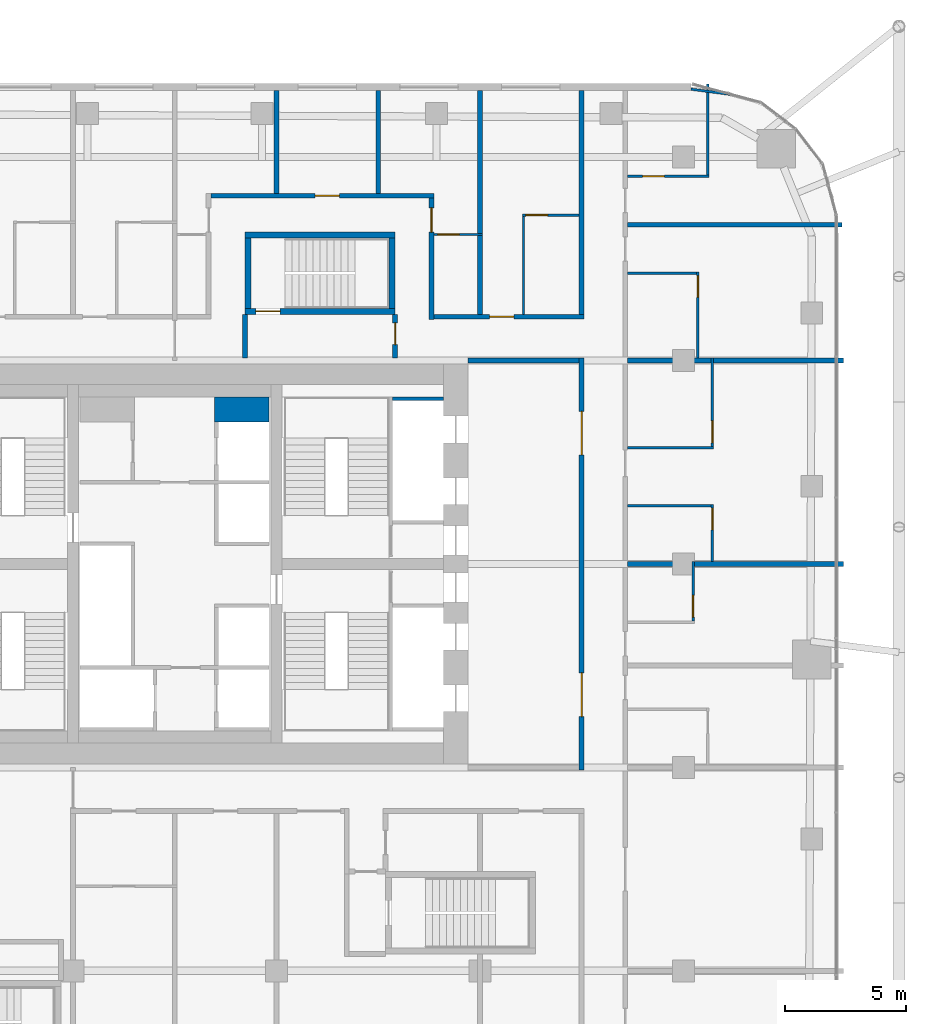
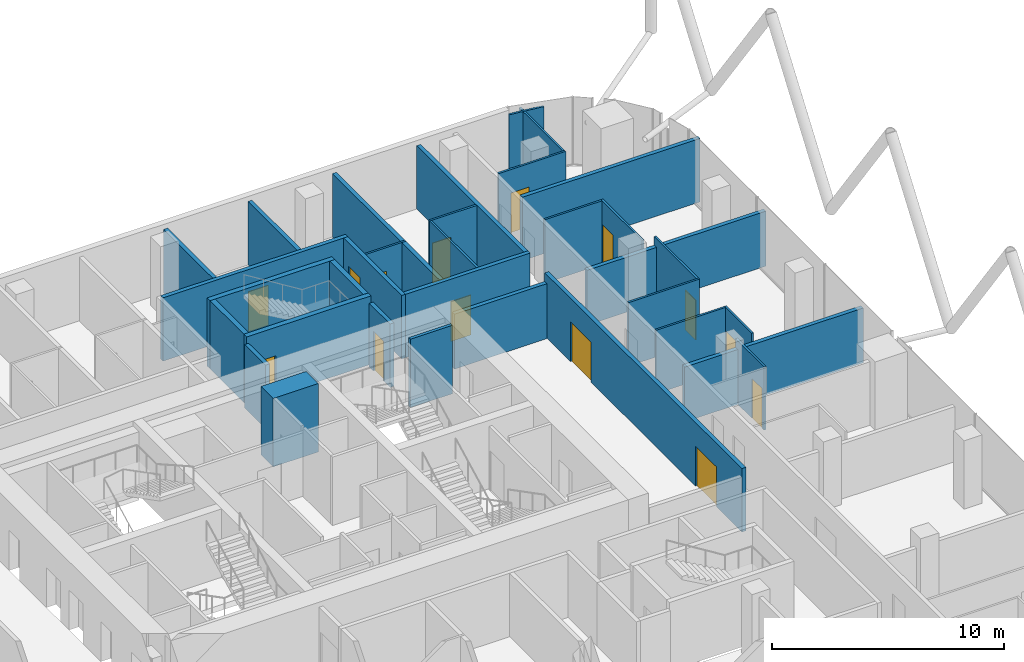
# One storey, part 33 of 36: 33 walls, 14 doors, 14 openings.
"""IFC4 building model written with IfcOpenShell, lengths in metres."""

from ifc_helpers import new_model, si_unit, direction, frame, frame_2d, origin, place, context, subcontext, project, spatial, rectangle, extrude, material, layer, layer_set, type_object, element, fill, save


model = new_model("IFC4")

# Units and contexts
model_context = context("Model", 3, precision=1e-05, world=origin(), true_north=direction((0.0, 1.0)))
body_context = subcontext(model_context, "Body", "Model", "MODEL_VIEW")
ifc_project = project(units=[si_unit("LENGTHUNIT", "METRE"), si_unit("AREAUNIT", "SQUARE_METRE"), si_unit("VOLUMEUNIT", "CUBIC_METRE"), si_unit("PLANEANGLEUNIT", "RADIAN"), si_unit("MASSUNIT", "GRAM", prefix="KILO")], contexts=[model_context])

# Site, building, storey
site_placement = place(None, origin())
site = spatial("IfcSite", under=ifc_project, at=site_placement, CompositionType="ELEMENT")
building_placement = place(site_placement, origin())
building = spatial("IfcBuilding", under=site, at=building_placement, Name="Marenta Gate Hotel Tower", CompositionType="ELEMENT")
storey_placement = place(building_placement, frame((0.0, 0.0, 115.699951171875)))
storey = spatial("IfcBuildingStorey", under=building, at=storey_placement, Name="L25", CompositionType="ELEMENT", Elevation=115.699951171875)

# Wall, openings, doors
ifc_material_1 = material(Name="Concrete blockwork", Category="masonry")
ifc_layer_1 = layer(ifc_material_1, 0.199951171875)
ifc_layer_set_1 = layer_set([ifc_layer_1], Name="Concrete blockwork")
wall_type_1 = type_object("IfcWallType", Name="Core boundary wall 200 REI 180", PredefinedType="PARTITIONING", material=ifc_layer_set_1)
wall_1_placement = place(storey_placement, frame((16.800048828125, -0.10009765625, 0.0), z_axis=(0.0, 0.0, 1.0), x_axis=(0.0, 1.0, 0.0)))
wall_1 = element("IfcWall", 1, at=wall_1_placement, inside=storey, type_object=wall_type_1, Name="L25-CP-BW-E", PredefinedType="PARTITIONING", context=body_context, shape_type="SweptSolid", body=[
    extrude(rectangle(XDim=17.0, YDim=0.199951171875, at=frame_2d((8.5, 0.0))), origin(), (0.0, 0.0, 1.0), 3.340087890625),
])
opening_1_placement = place(wall_1_placement, frame((2.199951171875, 0.0, 0.0)))
opening_1 = element("IfcOpeningElement", 2, at=opening_1_placement, cuts=wall_1, Name="Opening ED-Ea-B", PredefinedType="OPENING", context=body_context, shape_type="SweptSolid", body=[
    extrude(rectangle(XDim=1.800048828125, YDim=2.10009765625, at=frame_2d((0.89990234375, 1.050048828125))), frame((0.0, 0.10009765625, 0.0), z_axis=(0.0, -1.0, 0.0), x_axis=(1.0, 0.0, 0.0)), (0.0, 0.0, 1.0), 0.199951171875),
])
opening_2_placement = place(wall_1_placement, frame((13.0, 0.0, 0.0)))
opening_2 = element("IfcOpeningElement", 3, at=opening_2_placement, cuts=wall_1, Name="Opening ED-Eb-B", PredefinedType="OPENING", context=body_context, shape_type="SweptSolid", body=[
    extrude(rectangle(XDim=1.800048828125, YDim=2.10009765625, at=frame_2d((0.89990234375, 1.050048828125))), frame((0.0, 0.10009765625, 0.0), z_axis=(0.0, -1.0, 0.0), x_axis=(1.0, 0.0, 0.0)), (0.0, 0.0, 1.0), 0.199951171875),
])
ifc_material_2 = material(Name="Steel", Category="steel")
door_type_1 = type_object("IfcDoorType", Name="Core lobby entrance door 1800x2100 EI 60", OperationType="DOUBLE_DOOR_SINGLE_SWING", PredefinedType="DOOR", material=ifc_material_2)
door_1_placement = place(opening_1_placement, origin())
door_1 = element("IfcDoor", 4, at=door_1_placement, inside=storey, type_object=door_type_1, Name="ED-Ea-B", OperationType="DOUBLE_DOOR_SINGLE_SWING", OverallHeight=2.10009765625, OverallWidth=1.800048828125, PredefinedType="DOOR", context=body_context, shape_type="SweptSolid", body=[
    extrude(rectangle(XDim=1.800048828125, YDim=2.10009765625, at=frame_2d((0.89990234375, 1.050048828125))), frame((0.0, 0.02490234375, 0.0), z_axis=(0.0, -1.0, 0.0), x_axis=(1.0, 0.0, 0.0)), (0.0, 0.0, 1.0), 0.050048828125),
])
fill(opening_1, door_1)
door_2_placement = place(opening_2_placement, origin())
door_2 = element("IfcDoor", 5, at=door_2_placement, inside=storey, type_object=door_type_1, Name="ED-Eb-B", OperationType="DOUBLE_DOOR_SINGLE_SWING", OverallHeight=2.10009765625, OverallWidth=1.800048828125, PredefinedType="DOOR", context=body_context, shape_type="SweptSolid", body=[
    extrude(rectangle(XDim=1.800048828125, YDim=2.10009765625, at=frame_2d((0.89990234375, 1.050048828125))), frame((0.0, 0.02490234375, 0.0), z_axis=(0.0, -1.0, 0.0), x_axis=(1.0, 0.0, 0.0)), (0.0, 0.0, 1.0), 0.050048828125),
])
fill(opening_2, door_2)

# Walls
wall_2_placement = place(storey_placement, frame((12.10009765625, 16.800048828125, 0.0), z_axis=(0.0, 0.0, 1.0), x_axis=(1.0, 0.0, 0.0)))
element("IfcWall", 6, at=wall_2_placement, inside=storey, type_object=wall_type_1, Name="L25-CP-EW-EN", PredefinedType="PARTITIONING", context=body_context, shape_type="SweptSolid", body=[
    extrude(rectangle(XDim=4.599853515625, YDim=0.199951171875, at=frame_2d((2.2998046875, 0.0))), origin(), (0.0, 0.0, 1.0), 2.89013671875),
])
ifc_material_3 = material(Name="Concrete C40", Category="concrete")
ifc_layer_2 = layer(ifc_material_3, 1.050048828125)
ifc_layer_set_2 = layer_set([ifc_layer_2], Name="Concrete C40")
wall_type_2 = type_object("IfcWallType", Name="Core shaft wall 1050 REI 180", PredefinedType="SHEAR", material=ifc_layer_set_2)
wall_3_placement = place(storey_placement, frame((1.64990234375, 14.77490234375, 0.0), z_axis=(0.0, 0.0, 1.0), x_axis=(1.0, 0.0, 0.0)))
element("IfcWall", 7, at=wall_3_placement, inside=storey, type_object=wall_type_2, Name="L25-SHF-CE-N-top", PredefinedType="SHEAR", context=body_context, shape_type="SweptSolid", body=[
    extrude(rectangle(XDim=2.25, YDim=1.050048828125, at=frame_2d((1.125, 0.0))), origin(), (0.0, 0.0, 1.0), 3.60009765625),
])
ifc_material_4 = material(Name="Concrete C40", Category="concrete")
ifc_layer_3 = layer(ifc_material_4, 0.14990234375)
ifc_layer_set_3 = layer_set([ifc_layer_3], Name="Concrete C40")
wall_type_3 = type_object("IfcWallType", Name="Core shaft wall 150 REI 180", PredefinedType="SHEAR", material=ifc_layer_set_3)
wall_4_placement = place(storey_placement, frame((9.0, 15.22509765625, 0.0), z_axis=(0.0, 0.0, 1.0), x_axis=(1.0, 0.0, 0.0)))
element("IfcWall", 8, at=wall_4_placement, inside=storey, type_object=wall_type_3, Name="L25-SHF-SW-EN-5", PredefinedType="SHEAR", context=body_context, shape_type="SweptSolid", body=[
    extrude(rectangle(XDim=2.10009765625, YDim=0.14990234375, at=frame_2d((1.050048828125, 0.0))), origin(), (0.0, 0.0, 1.0), 3.60009765625),
])

# Wall, opening, door
ifc_material_5 = material(Name="Concrete C40", Category="concrete")
ifc_layer_4 = layer(ifc_material_5, 0.25)
ifc_layer_set_4 = layer_set([ifc_layer_4], Name="Concrete C40")
wall_type_4 = type_object("IfcWallType", Name="Remote stair enclosure wall 250 REI 180", PredefinedType="SHEAR", material=ifc_layer_set_4)
wall_5_placement = place(storey_placement, frame((2.89990234375, 18.824951171875, 0.10009765625), z_axis=(0.0, 0.0, 1.0), x_axis=(1.0, 0.0, 0.0)))
wall_5 = element("IfcWall", 9, at=wall_5_placement, inside=storey, type_object=wall_type_4, Name="L25-RS-Z2-4-W1", PredefinedType="SHEAR", context=body_context, shape_type="SweptSolid", body=[
    extrude(rectangle(XDim=6.2001953125, YDim=0.25, at=frame_2d((3.10009765625, 0.0))), origin(), (0.0, 0.0, 1.0), 3.599853515625),
])
opening_3_placement = place(wall_5_placement, frame((0.449951171875, 0.0, 0.0)))
opening_3 = element("IfcOpeningElement", 10, at=opening_3_placement, cuts=wall_5, Name="Opening VD", PredefinedType="OPENING", context=body_context, shape_type="SweptSolid", body=[
    extrude(rectangle(XDim=1.0, YDim=2.10009765625, at=frame_2d((0.5, 1.050048828125))), frame((0.0, 0.125, 0.0), z_axis=(0.0, -1.0, 0.0), x_axis=(1.0, 0.0, 0.0)), (0.0, 0.0, 1.0), 0.25),
])
ifc_material_6 = material(Name="Steel", Category="steel")
door_type_2 = type_object("IfcDoorType", Name="Stair vestibule door 1000x2100 FD60", OperationType="SINGLE_SWING_LEFT", PredefinedType="DOOR", material=ifc_material_6)
door_3_placement = place(opening_3_placement, origin())
door_3 = element("IfcDoor", 11, at=door_3_placement, inside=storey, type_object=door_type_2, Name="VD", OperationType="SINGLE_SWING_LEFT", OverallHeight=2.10009765625, OverallWidth=1.0, PredefinedType="DOOR", context=body_context, shape_type="SweptSolid", body=[
    extrude(rectangle(XDim=1.0, YDim=2.10009765625, at=frame_2d((0.5, 1.050048828125))), frame((0.0, 0.02490234375, 0.0), z_axis=(0.0, -1.0, 0.0), x_axis=(1.0, 0.0, 0.0)), (0.0, 0.0, 1.0), 0.050048828125),
])
fill(opening_3, door_3)

# Walls
wall_6_placement = place(storey_placement, frame((2.89990234375, 21.97509765625, 0.10009765625), z_axis=(0.0, 0.0, 1.0), x_axis=(1.0, 0.0, 0.0)))
element("IfcWall", 12, at=wall_6_placement, inside=storey, type_object=wall_type_4, Name="L25-RS-Z2-4-W2", PredefinedType="SHEAR", context=body_context, shape_type="SweptSolid", body=[
    extrude(rectangle(XDim=6.2001953125, YDim=0.25, at=frame_2d((3.10009765625, 0.0))), origin(), (0.0, 0.0, 1.0), 3.599853515625),
])
for number, where, z_axis, x_axis, name in (
    (13, (3.02490234375, 18.949951171875, 0.10009765625), (0.0, 0.0, 1.0), (0.0, 1.0, 0.0), "L25-RS-Z2-4-W3"),
    (14, (8.97509765625, 18.949951171875, 0.10009765625), (0.0, 0.0, 1.0), (0.0, 1.0, 0.0), "L25-RS-Z2-4-W4"),
):
    element("IfcWall", number, at=place(storey_placement, frame(where, z_axis=z_axis, x_axis=x_axis)), inside=storey, type_object=wall_type_4, Name=name, PredefinedType="SHEAR", context=body_context, shape_type="SweptSolid", body=[
        extrude(rectangle(XDim=2.900146484375, YDim=0.25, at=frame_2d((1.4501953125, 0.0))), origin(), (0.0, 0.0, 1.0), 3.599853515625),
    ])

# Wall, opening, door
ifc_material_7 = material(Name="Concrete blockwork", Category="masonry")
ifc_layer_5 = layer(ifc_material_7, 0.199951171875)
ifc_layer_set_5 = layer_set([ifc_layer_5], Name="Concrete blockwork")
wall_type_5 = type_object("IfcWallType", Name="Room corridor wall 200 EI 120", PredefinedType="PARTITIONING", material=ifc_layer_set_5)
wall_7_placement = place(storey_placement, frame((1.5, 23.60009765625, 0.0), z_axis=(0.0, 0.0, 1.0), x_axis=(1.0, 0.0, 0.0)))
wall_7 = element("IfcWall", 15, at=wall_7_placement, inside=storey, type_object=wall_type_5, Name="L25-PTN-W125", PredefinedType="PARTITIONING", context=body_context, shape_type="SweptSolid", body=[
    extrude(rectangle(XDim=9.199951171875, YDim=0.199951171875, at=frame_2d((4.60009765625, 0.0))), origin(), (0.0, 0.0, 1.0), 3.340087890625),
])
opening_4_placement = place(wall_7_placement, frame((4.300048828125, 0.0, 0.0)))
opening_4 = element("IfcOpeningElement", 16, at=opening_4_placement, cuts=wall_7, Name="Opening G09-36", PredefinedType="OPENING", context=body_context, shape_type="SweptSolid", body=[
    extrude(rectangle(XDim=1.0, YDim=2.10009765625, at=frame_2d((0.5, 1.050048828125))), frame((0.0, 0.10009765625, 0.0), z_axis=(0.0, -1.0, 0.0), x_axis=(1.0, 0.0, 0.0)), (0.0, 0.0, 1.0), 0.199951171875),
])
ifc_material_8 = material(Name="Hollow steel door set", Category="steel")
door_type_3 = type_object("IfcDoorType", Name="Room service door 1000x2100 EI 60", OperationType="NOTDEFINED", PredefinedType="DOOR", material=ifc_material_8)
door_4_placement = place(opening_4_placement, origin())
door_4 = element("IfcDoor", 17, at=door_4_placement, inside=storey, type_object=door_type_3, Name="L25-PD-D036", OperationType="SINGLE_SWING_LEFT", OverallHeight=2.10009765625, OverallWidth=1.0, PredefinedType="DOOR", context=body_context, shape_type="SweptSolid", body=[
    extrude(rectangle(XDim=1.0, YDim=2.10009765625, at=frame_2d((0.5, 1.050048828125))), frame((0.0, 0.02490234375, 0.0), z_axis=(0.0, -1.0, 0.0), x_axis=(1.0, 0.0, 0.0)), (0.0, 0.0, 1.0), 0.050048828125),
])
fill(opening_4, door_4)

# Wall
ifc_material_9 = material(Name="Gypsum board on steel stud", Category="steel")
ifc_layer_6 = layer(ifc_material_9, 0.199951171875)
ifc_layer_set_6 = layer_set([ifc_layer_6], Name="Gypsum board on steel stud")
wall_type_6 = type_object("IfcWallType", Name="Room corridor wall 200 EI 60", PredefinedType="PARTITIONING", material=ifc_layer_set_6)
wall_8_placement = place(storey_placement, frame((16.800048828125, 18.699951171875, 0.0), z_axis=(0.0, 0.0, 1.0), x_axis=(0.0, 1.0, 0.0)))
element("IfcWall", 18, at=wall_8_placement, inside=storey, type_object=wall_type_6, Name="L25-PTN-W016", PredefinedType="PARTITIONING", context=body_context, shape_type="SweptSolid", body=[
    extrude(rectangle(XDim=9.239990234375, YDim=0.199951171875, at=frame_2d((4.6201171875, 0.0))), origin(), (0.0, 0.0, 1.0), 3.340087890625),
])

# Wall, opening, door
wall_9_placement = place(storey_placement, frame((10.60009765625, 18.5, 0.0), z_axis=(0.0, 0.0, 1.0), x_axis=(0.0, 1.0, 0.0)))
wall_9 = element("IfcWall", 19, at=wall_9_placement, inside=storey, type_object=wall_type_6, Name="L25-PTN-W036", PredefinedType="PARTITIONING", context=body_context, shape_type="SweptSolid", body=[
    extrude(rectangle(XDim=5.0, YDim=0.199951171875, at=frame_2d((2.5, 0.0))), origin(), (0.0, 0.0, 1.0), 3.340087890625),
])
opening_5_placement = place(wall_9_placement, frame((3.60009765625, 0.0, 0.0)))
opening_5 = element("IfcOpeningElement", 20, at=opening_5_placement, cuts=wall_9, Name="Opening G09-37", PredefinedType="OPENING", context=body_context, shape_type="SweptSolid", body=[
    extrude(rectangle(XDim=1.0, YDim=2.10009765625, at=frame_2d((0.5, 1.050048828125))), frame((0.0, 0.10009765625, 0.0), z_axis=(0.0, -1.0, 0.0), x_axis=(1.0, 0.0, 0.0)), (0.0, 0.0, 1.0), 0.199951171875),
])
ifc_material_10 = material(Name="Timber door leaf", Category="wood")
door_type_4 = type_object("IfcDoorType", Name="Guest room door 1000x2100 EI 30", OperationType="NOTDEFINED", PredefinedType="DOOR", material=ifc_material_10)
door_5_placement = place(opening_5_placement, origin())
door_5 = element("IfcDoor", 21, at=door_5_placement, inside=storey, type_object=door_type_4, Name="L25-PD-D037", OperationType="SINGLE_SWING_LEFT", OverallHeight=2.10009765625, OverallWidth=1.0, PredefinedType="DOOR", context=body_context, shape_type="SweptSolid", body=[
    extrude(rectangle(XDim=1.0, YDim=2.10009765625, at=frame_2d((0.5, 1.050048828125))), frame((0.0, 0.02490234375, 0.0), z_axis=(0.0, -1.0, 0.0), x_axis=(1.0, 0.0, 0.0)), (0.0, 0.0, 1.0), 0.050048828125),
])
fill(opening_5, door_5)

wall_10_placement = place(storey_placement, frame((10.699951171875, 18.60009765625, 0.0), z_axis=(0.0, 0.0, 1.0), x_axis=(1.0, 0.0, 0.0)))
wall_10 = element("IfcWall", 22, at=wall_10_placement, inside=storey, type_object=wall_type_6, Name="L25-PTN-W107", PredefinedType="PARTITIONING", context=body_context, shape_type="SweptSolid", body=[
    extrude(rectangle(XDim=6.199951171875, YDim=0.199951171875, at=frame_2d((3.10009765625, 0.0))), origin(), (0.0, 0.0, 1.0), 3.340087890625),
])
opening_6_placement = place(wall_10_placement, frame((2.300048828125, 0.0, 0.0)))
opening_6 = element("IfcOpeningElement", 23, at=opening_6_placement, cuts=wall_10, Name="Opening G09-39", PredefinedType="OPENING", context=body_context, shape_type="SweptSolid", body=[
    extrude(rectangle(XDim=1.0, YDim=2.10009765625, at=frame_2d((0.5, 1.050048828125))), frame((0.0, 0.10009765625, 0.0), z_axis=(0.0, -1.0, 0.0), x_axis=(1.0, 0.0, 0.0)), (0.0, 0.0, 1.0), 0.199951171875),
])
door_6_placement = place(opening_6_placement, origin())
door_6 = element("IfcDoor", 24, at=door_6_placement, inside=storey, type_object=door_type_4, Name="L25-PD-D039", OperationType="SINGLE_SWING_RIGHT", OverallHeight=2.10009765625, OverallWidth=1.0, PredefinedType="DOOR", context=body_context, shape_type="SweptSolid", body=[
    extrude(rectangle(XDim=1.0, YDim=2.10009765625, at=frame_2d((0.5, 1.050048828125))), frame((0.0, 0.02490234375, 0.0), z_axis=(0.0, -1.0, 0.0), x_axis=(1.0, 0.0, 0.0)), (0.0, 0.0, 1.0), 0.050048828125),
])
fill(opening_6, door_6)

ifc_material_11 = material(Name="Concrete blockwork", Category="masonry")
ifc_layer_7 = layer(ifc_material_11, 0.199951171875)
ifc_layer_set_7 = layer_set([ifc_layer_7], Name="Concrete blockwork")
wall_type_7 = type_object("IfcWallType", Name="Room corridor wall 200 REI 180", PredefinedType="PARTITIONING", material=ifc_layer_set_7)
wall_11_placement = place(storey_placement, frame((9.10009765625, 16.89990234375, 0.0), z_axis=(0.0, 0.0, 1.0), x_axis=(0.0, 1.0, 0.0)))
wall_11 = element("IfcWall", 25, at=wall_11_placement, inside=storey, type_object=wall_type_7, Name="L25-PTN-W037", PredefinedType="PARTITIONING", context=body_context, shape_type="SweptSolid", body=[
    extrude(rectangle(XDim=1.800048828125, YDim=0.199951171875, at=frame_2d((0.89990234375, 0.0))), origin(), (0.0, 0.0, 1.0), 3.340087890625),
])
opening_7_placement = place(wall_11_placement, frame((0.550048828125, 0.0, 0.0)))
opening_7 = element("IfcOpeningElement", 26, at=opening_7_placement, cuts=wall_11, Name="Opening G09-71", PredefinedType="OPENING", context=body_context, shape_type="SweptSolid", body=[
    extrude(rectangle(XDim=0.89990234375, YDim=2.10009765625, at=frame_2d((0.449951171875, 1.050048828125))), frame((0.0, 0.10009765625, 0.0), z_axis=(0.0, -1.0, 0.0), x_axis=(1.0, 0.0, 0.0)), (0.0, 0.0, 1.0), 0.199951171875),
])
ifc_material_12 = material(Name="Hollow steel door set", Category="steel")
door_type_5 = type_object("IfcDoorType", Name="Stair vestibule door 900x2100 EI 60", OperationType="NOTDEFINED", PredefinedType="DOOR", material=ifc_material_12)
door_7_placement = place(opening_7_placement, origin())
door_7 = element("IfcDoor", 27, at=door_7_placement, inside=storey, type_object=door_type_5, Name="L25-PD-D071", OperationType="SINGLE_SWING_RIGHT", OverallHeight=2.10009765625, OverallWidth=0.89990234375, PredefinedType="DOOR", context=body_context, shape_type="SweptSolid", body=[
    extrude(rectangle(XDim=0.89990234375, YDim=2.10009765625, at=frame_2d((0.449951171875, 1.050048828125))), frame((0.0, 0.02490234375, 0.0), z_axis=(0.0, -1.0, 0.0), x_axis=(1.0, 0.0, 0.0)), (0.0, 0.0, 1.0), 0.050048828125),
])
fill(opening_7, door_7)

# Wall
wall_12_placement = place(storey_placement, frame((2.89990234375, 16.89990234375, 0.0), z_axis=(0.0, 0.0, 1.0), x_axis=(0.0, 1.0, 0.0)))
element("IfcWall", 28, at=wall_12_placement, inside=storey, type_object=wall_type_7, Name="L25-PTN-W057", PredefinedType="PARTITIONING", context=body_context, shape_type="SweptSolid", body=[
    extrude(rectangle(XDim=1.800048828125, YDim=0.199951171875, at=frame_2d((0.89990234375, 0.0))), origin(), (0.0, 0.0, 1.0), 3.340087890625),
])

# Wall, opening, door
ifc_material_13 = material(Name="Gypsum board on steel stud", Category="steel")
ifc_layer_8 = layer(ifc_material_13, 0.10009765625)
ifc_layer_set_8 = layer_set([ifc_layer_8], Name="Gypsum board on steel stud")
wall_type_8 = type_object("IfcWallType", Name="Room partition 100", PredefinedType="PARTITIONING", material=ifc_layer_set_8)
wall_13_placement = place(storey_placement, frame((22.199951171875, 8.5, 0.0), z_axis=(0.0, 0.0, 1.0), x_axis=(0.0, 1.0, 0.0)))
wall_13 = element("IfcWall", 29, at=wall_13_placement, inside=storey, type_object=wall_type_8, Name="L25-PTN-W003", PredefinedType="PARTITIONING", context=body_context, shape_type="SweptSolid", body=[
    extrude(rectangle(XDim=2.35009765625, YDim=0.10009765625, at=frame_2d((1.175048828125, 0.0))), origin(), (0.0, 0.0, 1.0), 3.340087890625),
])
opening_8_placement = place(wall_13_placement, frame((1.300048828125, 0.0, 0.0)))
opening_8 = element("IfcOpeningElement", 30, at=opening_8_placement, cuts=wall_13, Name="Opening G09-21", PredefinedType="OPENING", context=body_context, shape_type="SweptSolid", body=[
    extrude(rectangle(XDim=0.89990234375, YDim=2.10009765625, at=frame_2d((0.449951171875, 1.050048828125))), frame((0.0, 0.050048828125, 0.0), z_axis=(0.0, -1.0, 0.0), x_axis=(1.0, 0.0, 0.0)), (0.0, 0.0, 1.0), 0.10009765625),
])
ifc_material_14 = material(Name="Timber door leaf", Category="wood")
door_type_6 = type_object("IfcDoorType", Name="Room inner door 900x2100", OperationType="NOTDEFINED", PredefinedType="DOOR", material=ifc_material_14)
door_8_placement = place(opening_8_placement, origin())
door_8 = element("IfcDoor", 31, at=door_8_placement, inside=storey, type_object=door_type_6, Name="L25-PD-D021", OperationType="SINGLE_SWING_RIGHT", OverallHeight=2.10009765625, OverallWidth=0.89990234375, PredefinedType="DOOR", context=body_context, shape_type="SweptSolid", body=[
    extrude(rectangle(XDim=0.89990234375, YDim=2.10009765625, at=frame_2d((0.449951171875, 1.050048828125))), frame((0.0, 0.02490234375, 0.0), z_axis=(0.0, -1.0, 0.0), x_axis=(1.0, 0.0, 0.0)), (0.0, 0.0, 1.0), 0.050048828125),
])
fill(opening_8, door_8)

wall_14_placement = place(storey_placement, frame((22.199951171875, 13.25, 0.0), z_axis=(0.0, 0.0, 1.0), x_axis=(0.0, 1.0, 0.0)))
wall_14 = element("IfcWall", 32, at=wall_14_placement, inside=storey, type_object=wall_type_8, Name="L25-PTN-W004", PredefinedType="PARTITIONING", context=body_context, shape_type="SweptSolid", body=[
    extrude(rectangle(XDim=3.64990234375, YDim=0.10009765625, at=frame_2d((1.824951171875, 0.0))), origin(), (0.0, 0.0, 1.0), 3.340087890625),
])
opening_9_placement = place(wall_14_placement, frame((0.14990234375, 0.0, 0.0)))
opening_9 = element("IfcOpeningElement", 33, at=opening_9_placement, cuts=wall_14, Name="Opening G09-20", PredefinedType="OPENING", context=body_context, shape_type="SweptSolid", body=[
    extrude(rectangle(XDim=0.89990234375, YDim=2.10009765625, at=frame_2d((0.449951171875, 1.050048828125))), frame((0.0, 0.050048828125, 0.0), z_axis=(0.0, -1.0, 0.0), x_axis=(1.0, 0.0, 0.0)), (0.0, 0.0, 1.0), 0.10009765625),
])
ifc_material_15 = material(Name="Timber door leaf", Category="wood")
door_type_7 = type_object("IfcDoorType", Name="Guest bathroom door 900x2100", OperationType="NOTDEFINED", PredefinedType="DOOR", material=ifc_material_15)
door_9_placement = place(opening_9_placement, origin())
door_9 = element("IfcDoor", 34, at=door_9_placement, inside=storey, type_object=door_type_7, Name="L25-PD-D020", OperationType="SINGLE_SWING_LEFT", OverallHeight=2.10009765625, OverallWidth=0.89990234375, PredefinedType="DOOR", context=body_context, shape_type="SweptSolid", body=[
    extrude(rectangle(XDim=0.89990234375, YDim=2.10009765625, at=frame_2d((0.449951171875, 1.050048828125))), frame((0.0, 0.02490234375, 0.0), z_axis=(0.0, -1.0, 0.0), x_axis=(1.0, 0.0, 0.0)), (0.0, 0.0, 1.0), 0.050048828125),
])
fill(opening_9, door_9)

# Wall
wall_15_placement = place(storey_placement, frame((22.0, 24.449951171875, 0.0), z_axis=(0.0, 0.0, 1.0), x_axis=(0.0, 1.0, 0.0)))
element("IfcWall", 35, at=wall_15_placement, inside=storey, type_object=wall_type_8, Name="L25-PTN-W006", PredefinedType="PARTITIONING", context=body_context, shape_type="SweptSolid", body=[
    extrude(rectangle(XDim=3.758056640625, YDim=0.10009765625, at=frame_2d((1.87890625, 0.0))), origin(), (0.0, 0.0, 1.0), 3.340087890625),
])

# Wall, opening, door
wall_16_placement = place(storey_placement, frame((21.60009765625, 16.89990234375, 0.0), z_axis=(0.0, 0.0, 1.0), x_axis=(0.0, 1.0, 0.0)))
wall_16 = element("IfcWall", 36, at=wall_16_placement, inside=storey, type_object=wall_type_8, Name="L25-PTN-W007", PredefinedType="PARTITIONING", context=body_context, shape_type="SweptSolid", body=[
    extrude(rectangle(XDim=3.550048828125, YDim=0.10009765625, at=frame_2d((1.77490234375, 0.0))), origin(), (0.0, 0.0, 1.0), 3.340087890625),
])
opening_10_placement = place(wall_16_placement, frame((2.5, 0.0, 0.0)))
opening_10 = element("IfcOpeningElement", 37, at=opening_10_placement, cuts=wall_16, Name="Opening G09-23", PredefinedType="OPENING", context=body_context, shape_type="SweptSolid", body=[
    extrude(rectangle(XDim=0.89990234375, YDim=2.10009765625, at=frame_2d((0.449951171875, 1.050048828125))), frame((0.0, 0.050048828125, 0.0), z_axis=(0.0, -1.0, 0.0), x_axis=(1.0, 0.0, 0.0)), (0.0, 0.0, 1.0), 0.10009765625),
])
door_10_placement = place(opening_10_placement, origin())
door_10 = element("IfcDoor", 38, at=door_10_placement, inside=storey, type_object=door_type_7, Name="L25-PD-D023", OperationType="SINGLE_SWING_RIGHT", OverallHeight=2.10009765625, OverallWidth=0.89990234375, PredefinedType="DOOR", context=body_context, shape_type="SweptSolid", body=[
    extrude(rectangle(XDim=0.89990234375, YDim=2.10009765625, at=frame_2d((0.449951171875, 1.050048828125))), frame((0.0, 0.02490234375, 0.0), z_axis=(0.0, -1.0, 0.0), x_axis=(1.0, 0.0, 0.0)), (0.0, 0.0, 1.0), 0.050048828125),
])
fill(opening_10, door_10)

wall_17_placement = place(storey_placement, frame((21.39990234375, 6.050048828125, 0.0), z_axis=(0.0, 0.0, 1.0), x_axis=(0.0, 1.0, 0.0)))
wall_17 = element("IfcWall", 39, at=wall_17_placement, inside=storey, type_object=wall_type_8, Name="L25-PTN-W008", PredefinedType="PARTITIONING", context=body_context, shape_type="SweptSolid", body=[
    extrude(rectangle(XDim=2.449951171875, YDim=0.10009765625, at=frame_2d((1.22509765625, 0.0))), origin(), (0.0, 0.0, 1.0), 3.340087890625),
])
opening_11_placement = place(wall_17_placement, frame((0.14990234375, 0.0, 0.0)))
opening_11 = element("IfcOpeningElement", 40, at=opening_11_placement, cuts=wall_17, Name="Opening G09-18", PredefinedType="OPENING", context=body_context, shape_type="SweptSolid", body=[
    extrude(rectangle(XDim=0.89990234375, YDim=2.10009765625, at=frame_2d((0.449951171875, 1.050048828125))), frame((0.0, 0.050048828125, 0.0), z_axis=(0.0, -1.0, 0.0), x_axis=(1.0, 0.0, 0.0)), (0.0, 0.0, 1.0), 0.10009765625),
])
door_11_placement = place(opening_11_placement, origin())
door_11 = element("IfcDoor", 41, at=door_11_placement, inside=storey, type_object=door_type_7, Name="L25-PD-D018", OperationType="SINGLE_SWING_LEFT", OverallHeight=2.10009765625, OverallWidth=0.89990234375, PredefinedType="DOOR", context=body_context, shape_type="SweptSolid", body=[
    extrude(rectangle(XDim=0.89990234375, YDim=2.10009765625, at=frame_2d((0.449951171875, 1.050048828125))), frame((0.0, 0.02490234375, 0.0), z_axis=(0.0, -1.0, 0.0), x_axis=(1.0, 0.0, 0.0)), (0.0, 0.0, 1.0), 0.050048828125),
])
fill(opening_11, door_11)

# Walls
wall_18_placement = place(storey_placement, frame((14.39990234375, 18.699951171875, 0.0), z_axis=(0.0, 0.0, 1.0), x_axis=(0.0, 1.0, 0.0)))
element("IfcWall", 42, at=wall_18_placement, inside=storey, type_object=wall_type_8, Name="L25-PTN-W023", PredefinedType="PARTITIONING", context=body_context, shape_type="SweptSolid", body=[
    extrude(rectangle(XDim=4.050048828125, YDim=0.10009765625, at=frame_2d((2.02490234375, 0.0))), origin(), (0.0, 0.0, 1.0), 3.340087890625),
])
wall_19_placement = place(storey_placement, frame((18.699951171875, 10.800048828125, 0.0), z_axis=(0.0, 0.0, 1.0), x_axis=(1.0, 0.0, 0.0)))
element("IfcWall", 43, at=wall_19_placement, inside=storey, type_object=wall_type_8, Name="L25-PTN-W088", PredefinedType="PARTITIONING", context=body_context, shape_type="SweptSolid", body=[
    extrude(rectangle(XDim=3.449951171875, YDim=0.10009765625, at=frame_2d((1.72509765625, 0.0))), origin(), (0.0, 0.0, 1.0), 3.340087890625),
])
wall_20_placement = place(storey_placement, frame((18.699951171875, 13.199951171875, 0.0), z_axis=(0.0, 0.0, 1.0), x_axis=(1.0, 0.0, 0.0)))
element("IfcWall", 44, at=wall_20_placement, inside=storey, type_object=wall_type_8, Name="L25-PTN-W093", PredefinedType="PARTITIONING", context=body_context, shape_type="SweptSolid", body=[
    extrude(rectangle(XDim=3.550048828125, YDim=0.10009765625, at=frame_2d((1.77490234375, 0.0))), origin(), (0.0, 0.0, 1.0), 3.340087890625),
])
wall_21_placement = place(storey_placement, frame((18.699951171875, 20.39990234375, 0.0), z_axis=(0.0, 0.0, 1.0), x_axis=(1.0, 0.0, 0.0)))
element("IfcWall", 45, at=wall_21_placement, inside=storey, type_object=wall_type_8, Name="L25-PTN-W109", PredefinedType="PARTITIONING", context=body_context, shape_type="SweptSolid", body=[
    extrude(rectangle(XDim=2.85009765625, YDim=0.10009765625, at=frame_2d((1.425048828125, 0.0))), origin(), (0.0, 0.0, 1.0), 3.340087890625),
])

# Wall, opening, door
wall_22_placement = place(storey_placement, frame((10.699951171875, 22.0, 0.0), z_axis=(0.0, 0.0, 1.0), x_axis=(1.0, 0.0, 0.0)))
wall_22 = element("IfcWall", 46, at=wall_22_placement, inside=storey, type_object=wall_type_8, Name="L25-PTN-W116", PredefinedType="PARTITIONING", context=body_context, shape_type="SweptSolid", body=[
    extrude(rectangle(XDim=2.0, YDim=0.10009765625, at=frame_2d((1.0, 0.0))), origin(), (0.0, 0.0, 1.0), 3.340087890625),
])
opening_12_placement = place(wall_22_placement, frame((0.14990234375, 0.0, 0.0)))
opening_12 = element("IfcOpeningElement", 47, at=opening_12_placement, cuts=wall_22, Name="Opening G09-38", PredefinedType="OPENING", context=body_context, shape_type="SweptSolid", body=[
    extrude(rectangle(XDim=0.89990234375, YDim=2.10009765625, at=frame_2d((0.449951171875, 1.050048828125))), frame((0.0, 0.050048828125, 0.0), z_axis=(0.0, -1.0, 0.0), x_axis=(1.0, 0.0, 0.0)), (0.0, 0.0, 1.0), 0.10009765625),
])
door_12_placement = place(opening_12_placement, origin())
door_12 = element("IfcDoor", 48, at=door_12_placement, inside=storey, type_object=door_type_7, Name="L25-PD-D038", OperationType="SINGLE_SWING_RIGHT", OverallHeight=2.10009765625, OverallWidth=0.89990234375, PredefinedType="DOOR", context=body_context, shape_type="SweptSolid", body=[
    extrude(rectangle(XDim=0.89990234375, YDim=2.10009765625, at=frame_2d((0.449951171875, 1.050048828125))), frame((0.0, 0.02490234375, 0.0), z_axis=(0.0, -1.0, 0.0), x_axis=(1.0, 0.0, 0.0)), (0.0, 0.0, 1.0), 0.050048828125),
])
fill(opening_12, door_12)

wall_23_placement = place(storey_placement, frame((14.35009765625, 22.800048828125, 0.0), z_axis=(0.0, 0.0, 1.0), x_axis=(1.0, 0.0, 0.0)))
wall_23 = element("IfcWall", 49, at=wall_23_placement, inside=storey, type_object=wall_type_8, Name="L25-PTN-W124", PredefinedType="PARTITIONING", context=body_context, shape_type="SweptSolid", body=[
    extrude(rectangle(XDim=2.349853515625, YDim=0.10009765625, at=frame_2d((1.1748046875, 0.0))), origin(), (0.0, 0.0, 1.0), 3.340087890625),
])
opening_13_placement = place(wall_23_placement, frame((0.14990234375, 0.0, 0.0)))
opening_13 = element("IfcOpeningElement", 50, at=opening_13_placement, cuts=wall_23, Name="Opening G09-40", PredefinedType="OPENING", context=body_context, shape_type="SweptSolid", body=[
    extrude(rectangle(XDim=0.89990234375, YDim=2.10009765625, at=frame_2d((0.449951171875, 1.050048828125))), frame((0.0, 0.050048828125, 0.0), z_axis=(0.0, -1.0, 0.0), x_axis=(1.0, 0.0, 0.0)), (0.0, 0.0, 1.0), 0.10009765625),
])
door_13_placement = place(opening_13_placement, origin())
door_13 = element("IfcDoor", 51, at=door_13_placement, inside=storey, type_object=door_type_7, Name="L25-PD-D040", OperationType="SINGLE_SWING_RIGHT", OverallHeight=2.10009765625, OverallWidth=0.89990234375, PredefinedType="DOOR", context=body_context, shape_type="SweptSolid", body=[
    extrude(rectangle(XDim=0.89990234375, YDim=2.10009765625, at=frame_2d((0.449951171875, 1.050048828125))), frame((0.0, 0.02490234375, 0.0), z_axis=(0.0, -1.0, 0.0), x_axis=(1.0, 0.0, 0.0)), (0.0, 0.0, 1.0), 0.050048828125),
])
fill(opening_13, door_13)

wall_24_placement = place(storey_placement, frame((18.699951171875, 24.39990234375, 0.0), z_axis=(0.0, 0.0, 1.0), x_axis=(1.0, 0.0, 0.0)))
wall_24 = element("IfcWall", 52, at=wall_24_placement, inside=storey, type_object=wall_type_8, Name="L25-PTN-W127", PredefinedType="PARTITIONING", context=body_context, shape_type="SweptSolid", body=[
    extrude(rectangle(XDim=3.35009765625, YDim=0.10009765625, at=frame_2d((1.675048828125, 0.0))), origin(), (0.0, 0.0, 1.0), 3.340087890625),
])
opening_14_placement = place(wall_24_placement, frame((0.6201171875, 0.0, 0.0)))
opening_14 = element("IfcOpeningElement", 53, at=opening_14_placement, cuts=wall_24, Name="Opening G09-25", PredefinedType="OPENING", context=body_context, shape_type="SweptSolid", body=[
    extrude(rectangle(XDim=0.89990234375, YDim=2.10009765625, at=frame_2d((0.449951171875, 1.050048828125))), frame((0.0, 0.050048828125, 0.0), z_axis=(0.0, -1.0, 0.0), x_axis=(1.0, 0.0, 0.0)), (0.0, 0.0, 1.0), 0.10009765625),
])
door_14_placement = place(opening_14_placement, origin())
door_14 = element("IfcDoor", 54, at=door_14_placement, inside=storey, type_object=door_type_7, Name="L25-PD-D025", OperationType="SINGLE_SWING_RIGHT", OverallHeight=2.10009765625, OverallWidth=0.89990234375, PredefinedType="DOOR", context=body_context, shape_type="SweptSolid", body=[
    extrude(rectangle(XDim=0.89990234375, YDim=2.10009765625, at=frame_2d((0.449951171875, 1.050048828125))), frame((0.0, 0.02490234375, 0.0), z_axis=(0.0, -1.0, 0.0), x_axis=(1.0, 0.0, 0.0)), (0.0, 0.0, 1.0), 0.050048828125),
])
fill(opening_14, door_14)

# Walls
wall_25_placement = place(storey_placement, frame((21.31201171875, 27.998046875, 0.0), z_axis=(0.0, 0.0, 1.0), x_axis=(0.991547575144, -0.129743617284, 0.0)))
element("IfcWall", 55, at=wall_25_placement, inside=storey, type_object=wall_type_8, Name="L25-PTN-W129", PredefinedType="PARTITIONING", context=body_context, shape_type="SweptSolid", body=[
    extrude(rectangle(XDim=1.625732421875, YDim=0.10009765625, at=frame_2d((0.81298828125, 0.0))), origin(), (0.0, 0.0, 1.0), 3.340087890625),
])
ifc_material_16 = material(Name="Concrete blockwork", Category="masonry")
ifc_layer_9 = layer(ifc_material_16, 0.199951171875)
ifc_layer_set_9 = layer_set([ifc_layer_9], Name="Concrete blockwork")
wall_type_9 = type_object("IfcWallType", Name="Room party wall 200 EI 120", PredefinedType="PARTITIONING", material=ifc_layer_set_9)
for number, where, z_axis, x_axis, name in (
    (56, (8.39990234375, 23.699951171875, 0.0), (0.0, 0.0, 1.0), (0.0, 1.0, 0.0), "L25-PTN-W040"),
    (57, (4.199951171875, 23.699951171875, 0.0), (0.0, 0.0, 1.0), (0.0, 1.0, 0.0), "L25-PTN-W055"),
):
    element("IfcWall", number, at=place(storey_placement, frame(where, z_axis=z_axis, x_axis=x_axis)), inside=storey, type_object=wall_type_9, Name=name, PredefinedType="PARTITIONING", context=body_context, shape_type="SweptSolid", body=[
        extrude(rectangle(XDim=4.239990234375, YDim=0.199951171875, at=frame_2d((2.1201171875, 0.0))), origin(), (0.0, 0.0, 1.0), 3.340087890625),
    ])
ifc_material_17 = material(Name="Gypsum board on steel stud", Category="steel")
ifc_layer_10 = layer(ifc_material_17, 0.199951171875)
ifc_layer_set_10 = layer_set([ifc_layer_10], Name="Gypsum board on steel stud")
wall_type_10 = type_object("IfcWallType", Name="Room party wall 200 EI 60", PredefinedType="PARTITIONING", material=ifc_layer_set_10)
wall_26_placement = place(storey_placement, frame((12.60009765625, 18.699951171875, 0.0), z_axis=(0.0, 0.0, 1.0), x_axis=(0.0, 1.0, 0.0)))
element("IfcWall", 58, at=wall_26_placement, inside=storey, type_object=wall_type_10, Name="L25-PTN-W031", PredefinedType="PARTITIONING", context=body_context, shape_type="SweptSolid", body=[
    extrude(rectangle(XDim=9.239990234375, YDim=0.199951171875, at=frame_2d((4.6201171875, 0.0))), origin(), (0.0, 0.0, 1.0), 3.340087890625),
])
for number, where, z_axis, x_axis, name in (
    (59, (18.699951171875, 8.39990234375, 0.0), (0.0, 0.0, 1.0), (1.0, 0.0, 0.0), "L25-PTN-W083"),
    (60, (18.699951171875, 16.800048828125, 0.0), (0.0, 0.0, 1.0), (1.0, 0.0, 0.0), "L25-PTN-W101"),
):
    element("IfcWall", number, at=place(storey_placement, frame(where, z_axis=z_axis, x_axis=x_axis)), inside=storey, type_object=wall_type_10, Name=name, PredefinedType="PARTITIONING", context=body_context, shape_type="SweptSolid", body=[
        extrude(rectangle(XDim=8.900146484375, YDim=0.199951171875, at=frame_2d((4.4501953125, 0.0))), origin(), (0.0, 0.0, 1.0), 2.89013671875),
    ])
wall_27_placement = place(storey_placement, frame((18.699951171875, 22.39990234375, 0.0), z_axis=(0.0, 0.0, 1.0), x_axis=(1.0, 0.0, 0.0)))
element("IfcWall", 61, at=wall_27_placement, inside=storey, type_object=wall_type_10, Name="L25-PTN-W118", PredefinedType="PARTITIONING", context=body_context, shape_type="SweptSolid", body=[
    extrude(rectangle(XDim=8.84716796875, YDim=0.199951171875, at=frame_2d((4.423583984375, 0.0))), origin(), (0.0, 0.0, 1.0), 3.340087890625),
])

save(model, "model.ifc")
